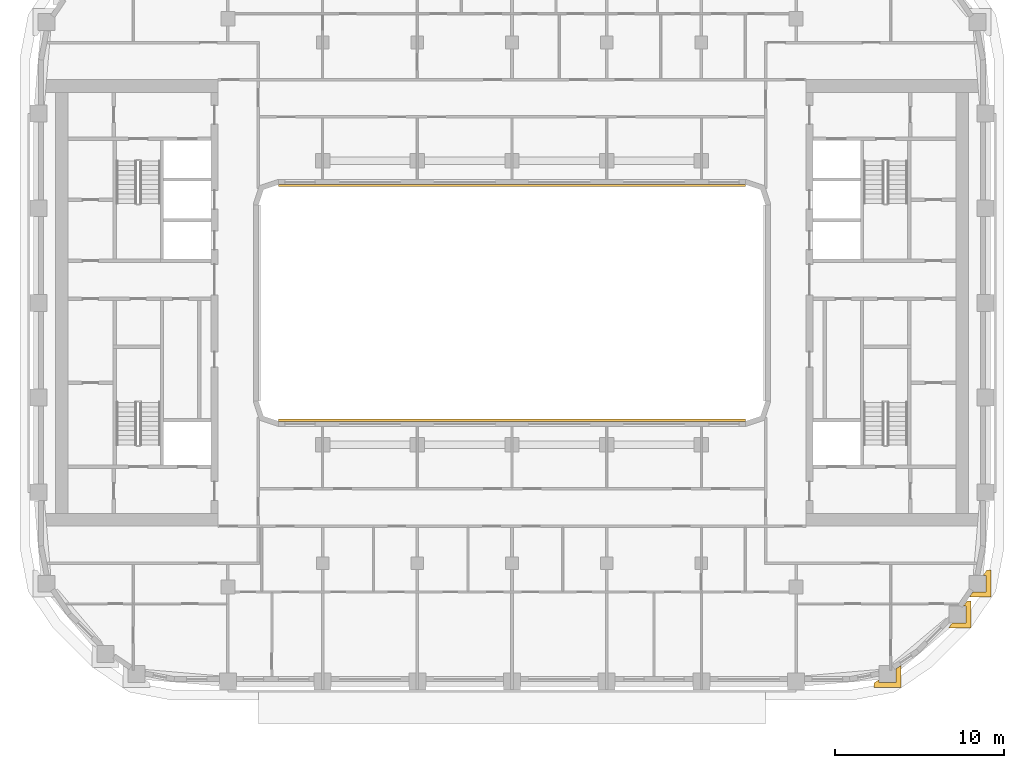
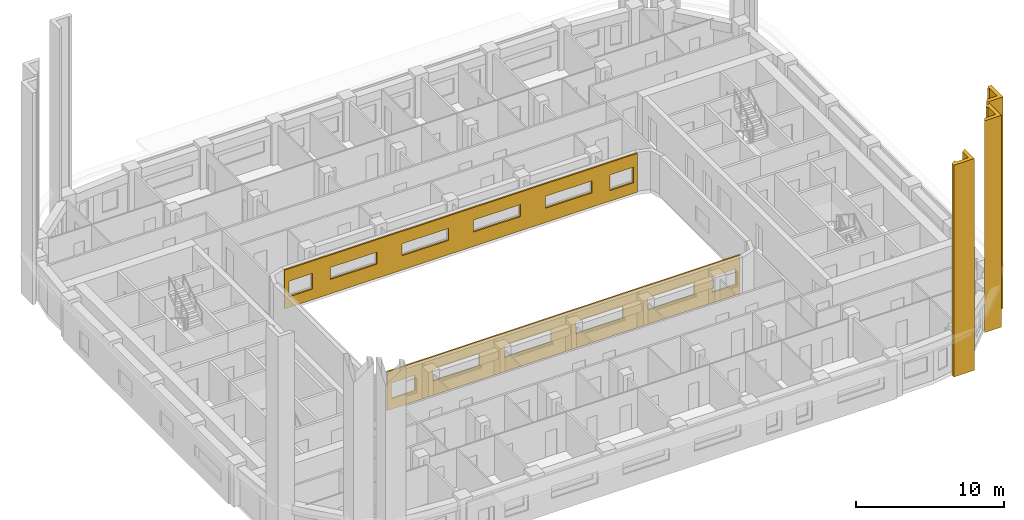
# One storey, part 16 of 22: 5 coverings.
"""IFC4 building model written with IfcOpenShell, lengths in metres."""

from ifc_helpers import new_model, si_unit, direction, frame, origin, place, context, subcontext, project, spatial, polyline, outline, extrude, material, layer, layer_set, type_object, element, save


model = new_model("IFC4")

# Units and contexts
model_context = context("Model", 3, precision=1e-05, world=origin(), true_north=direction((0.0, 1.0)))
body_context = subcontext(model_context, "Body", "Model", "MODEL_VIEW")
ifc_project = project(units=[si_unit("LENGTHUNIT", "METRE"), si_unit("AREAUNIT", "SQUARE_METRE"), si_unit("VOLUMEUNIT", "CUBIC_METRE"), si_unit("PLANEANGLEUNIT", "RADIAN"), si_unit("MASSUNIT", "GRAM", prefix="KILO")], contexts=[model_context])

# Site, building, storey
site_placement = place(None, origin())
site = spatial("IfcSite", under=ifc_project, at=site_placement, CompositionType="ELEMENT")
building_placement = place(site_placement, origin())
building = spatial("IfcBuilding", under=site, at=building_placement, Name="Kiln Ring Residences", CompositionType="ELEMENT")
storey_placement = place(building_placement, frame((0.0, 0.0, 160.60009765625)))
storey = spatial("IfcBuildingStorey", under=building, at=storey_placement, Name="L41", CompositionType="ELEMENT", Elevation=160.60009765625)

# Coverings
ifc_material_1 = material(Name="Brick masonry, dark clay brick", Category="masonry")
ifc_layer_1 = layer(ifc_material_1, 0.300048828125)
ifc_layer_set_1 = layer_set([ifc_layer_1], Name="PIER CLADDING 300")
covering_type_1 = type_object("IfcCoveringType", Name="PIER CLADDING 300", PredefinedType="CLADDING", material=ifc_layer_set_1)
placement = place(storey_placement, origin())
element("IfcCovering", 1, at=placement, inside=storey, type_object=covering_type_1, Name="PIER CLADDING L41-L45", PredefinedType="CLADDING", context=body_context, shape_type="SweptSolid", body=[
    extrude(outline(polyline([(21.708740234375, -22.27783203125), (21.40869140625, -22.481689453125), (21.40869140625, -22.738037109375), (23.0087890625, -22.738037109375), (23.0087890625, -21.4423828125), (22.708740234375, -21.646484375), (22.708740234375, -22.43798828125), (21.708740234375, -22.43798828125), (21.708740234375, -22.27783203125)])), origin(), (0.0, 0.0, 1.0), 17.5),
])
element("IfcCovering", 2, at=placement, inside=storey, type_object=covering_type_1, Name="PIER CLADDING L41-L45", PredefinedType="CLADDING", context=body_context, shape_type="SweptSolid", body=[
    extrude(outline(polyline([(27.159912109375, -19.240234375), (27.159912109375, -17.64013671875), (26.903564453125, -17.64013671875), (26.69970703125, -17.940185546875), (26.85986328125, -17.940185546875), (26.85986328125, -18.940185546875), (26.02001953125, -18.940185546875), (25.816162109375, -19.240234375), (25.816162109375, -19.240234375), (27.159912109375, -19.240234375)])), origin(), (0.0, 0.0, 1.0), 17.5),
])
element("IfcCovering", 3, at=placement, inside=storey, type_object=covering_type_1, Name="PIER CLADDING L41-L45", PredefinedType="CLADDING", context=body_context, shape_type="SweptSolid", body=[
    extrude(outline(polyline([(28.338134765625, -17.40869140625), (28.338134765625, -15.80859375), (28.081787109375, -15.80859375), (27.8779296875, -16.108642578125), (28.0380859375, -16.108642578125), (28.0380859375, -17.108642578125), (27.246337890625, -17.108642578125), (27.04248046875, -17.40869140625), (28.338134765625, -17.40869140625)])), origin(), (0.0, 0.0, 1.0), 17.5),
])
ifc_material_2 = material(Name="Brick masonry, dark clay brick", Category="masonry")
ifc_layer_2 = layer(ifc_material_2, 0.1201171875)
ifc_layer_set_2 = layer_set([ifc_layer_2], Name="RAINSCREEN PANEL 120")
covering_type_2 = type_object("IfcCoveringType", Name="RAINSCREEN PANEL 120", PredefinedType="CLADDING", material=ifc_layer_set_2)
for number, where, z_axis, x_axis, name in (
    (4, (-13.800048828125, 6.93994140625, 0.0), (0.0, 0.0, 1.0), (1.0, 0.0, 0.0), "RAINSCREEN L41"),
    (5, (13.800048828125, -6.93994140625, 0.0), (0.0, 0.0, 1.0), (-1.0, 0.0, 0.0), "RAINSCREEN L41"),
):
    element("IfcCovering", number, at=place(storey_placement, frame(where, z_axis=z_axis, x_axis=x_axis)), inside=storey, type_object=covering_type_2, Name=name, PredefinedType="CLADDING", context=body_context, shape_type="SweptSolid", body=[
        extrude(outline(polyline([(0.0, 0.0), (27.60009765625, 0.0), (27.60009765625, 3.199951171875), (0.0, 3.199951171875), (0.0, 0.0)]), holes=[polyline([(2.1826171875, 0.8798828125), (2.1826171875, 2.169921875), (0.342529296875, 2.169921875), (0.342529296875, 0.8798828125), (2.1826171875, 0.8798828125)]), polyline([(25.41748046875, 0.8798828125), (27.257568359375, 0.8798828125), (27.257568359375, 2.169921875), (25.41748046875, 2.169921875), (25.41748046875, 0.8798828125)]), polyline([(3.580078125, 1.179931640625), (7.219970703125, 1.179931640625), (7.219970703125, 2.169921875), (3.580078125, 2.169921875), (3.580078125, 1.179931640625)]), polyline([(12.820068359375, 1.179931640625), (12.820068359375, 2.169921875), (9.179931640625, 2.169921875), (9.179931640625, 1.179931640625), (12.820068359375, 1.179931640625)]), polyline([(14.780029296875, 1.179931640625), (18.419921875, 1.179931640625), (18.419921875, 2.169921875), (14.780029296875, 2.169921875), (14.780029296875, 1.179931640625)]), polyline([(20.3798828125, 1.179931640625), (24.02001953125, 1.179931640625), (24.02001953125, 2.169921875), (20.3798828125, 2.169921875), (20.3798828125, 1.179931640625)])]), frame((0.0, 0.06005859375, 0.0), z_axis=(0.0, -1.0, 0.0), x_axis=(1.0, 0.0, 0.0)), (0.0, 0.0, 1.0), 0.1201171875),
    ])

save(model, "model.ifc")
